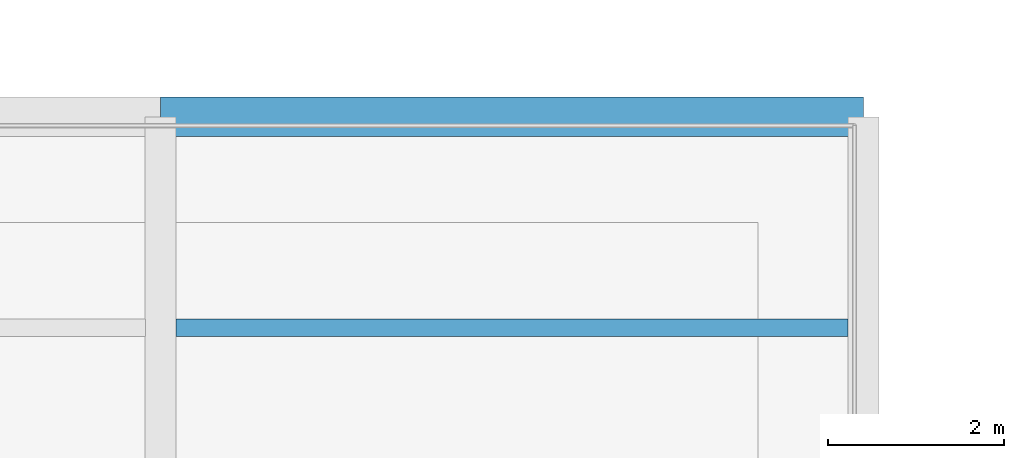
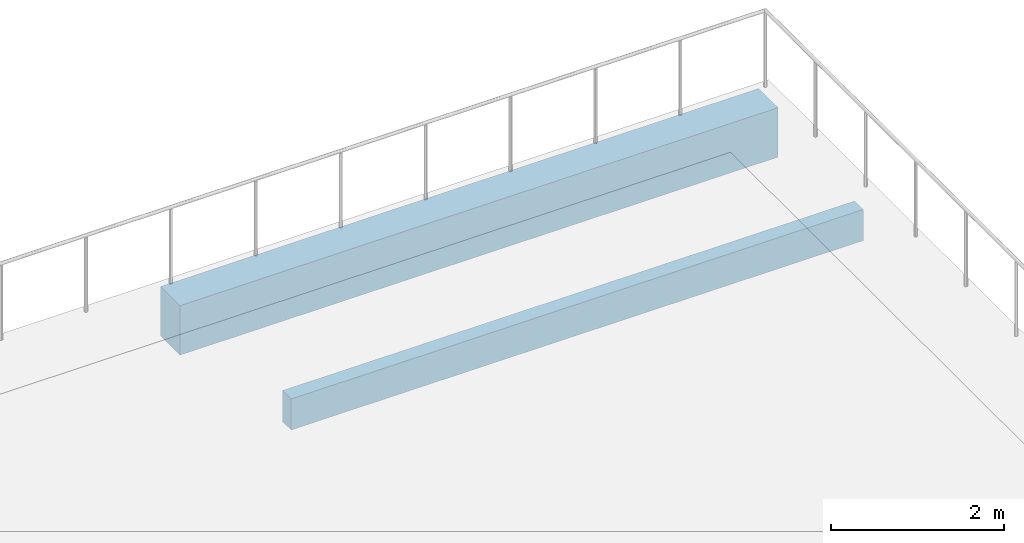
# One storey, part 14 of 107: 2 beams.
"""IFC4 building model written with IfcOpenShell, lengths in metres."""

from ifc_helpers import new_model, si_unit, direction, frame, origin, origin_2d, place, context, subcontext, project, spatial, rectangle, extrude, material, material_profile, profile_set, type_object, element, save


model = new_model("IFC4")

# Units and contexts
model_context = context("Model", 3, precision=1e-05, world=origin(), true_north=direction((0.0, 1.0)))
body_context = subcontext(model_context, "Body", "Model", "MODEL_VIEW")
ifc_project = project(units=[si_unit("LENGTHUNIT", "METRE"), si_unit("AREAUNIT", "SQUARE_METRE"), si_unit("VOLUMEUNIT", "CUBIC_METRE"), si_unit("PLANEANGLEUNIT", "RADIAN"), si_unit("MASSUNIT", "GRAM", prefix="KILO")], contexts=[model_context])

# Site, building, storey
site_placement = place(None, origin())
site = spatial("IfcSite", under=ifc_project, at=site_placement, CompositionType="ELEMENT")
building_placement = place(site_placement, origin())
building = spatial("IfcBuilding", under=site, at=building_placement, Name="Chiffa Square Polytechnic", CompositionType="ELEMENT")
storey_placement = place(building_placement, frame((0.0, 0.0, 13.800048828125)))
storey = spatial("IfcBuildingStorey", under=building, at=storey_placement, Name="L03", CompositionType="ELEMENT", Elevation=13.800048828125)

# Beams
ifc_material_1 = material(Name="Concrete C35/45", Category="concrete")
ifc_material_profile_1 = material_profile(ifc_material_1, rectangle(XDim=0.449951171875, YDim=0.699951171875, at=origin_2d()), Name="RC 450x700")
ifc_profile_set_1 = profile_set([ifc_material_profile_1], Name="Concrete C35/45")
beam_type_1 = type_object("IfcBeamType", Name="BM-RC-450X700", PredefinedType="BEAM", material=ifc_profile_set_1)
beam_1_placement = place(storey_placement, frame((40.0, 51.0, -0.610107421875), z_axis=(1.0, 0.0, 0.0), x_axis=(0.0, 1.0, 0.0)))
element("IfcBeam", 1, at=beam_1_placement, inside=storey, type_object=beam_type_1, Name="Primary floor girder BM-V6-L03-X-0400-0510", PredefinedType="BEAM", context=body_context, shape_type="SweptSolid", body=[
    extrude(rectangle(XDim=0.449951171875, YDim=0.699951171875, at=origin_2d()), origin(), (0.0, 0.0, 1.0), 8.0),
])
ifc_material_2 = material(Name="Glulam GL28h", Category="wood")
ifc_material_profile_2 = material_profile(ifc_material_2, rectangle(XDim=0.199951171875, YDim=0.43994140625, at=origin_2d()), Name="GL28h 200x440")
ifc_profile_set_2 = profile_set([ifc_material_profile_2], Name="Glulam GL28h")
beam_type_2 = type_object("IfcBeamType", Name="JST-GL-200X440", PredefinedType="JOIST", material=ifc_profile_set_2)
beam_2_placement = place(storey_placement, frame((40.173095703125, 48.60009765625, -0.47998046875), z_axis=(1.0, 0.0, 0.0), x_axis=(0.0, 1.0, 0.0)))
element("IfcBeam", 2, at=beam_2_placement, inside=storey, type_object=beam_type_2, Name="Secondary floor joist JST-V6-L03-0400-0486", PredefinedType="JOIST", context=body_context, shape_type="SweptSolid", body=[
    extrude(rectangle(XDim=0.199951171875, YDim=0.43994140625, at=origin_2d()), origin(), (0.0, 0.0, 1.0), 7.65380859375),
])

save(model, "model.ifc")
